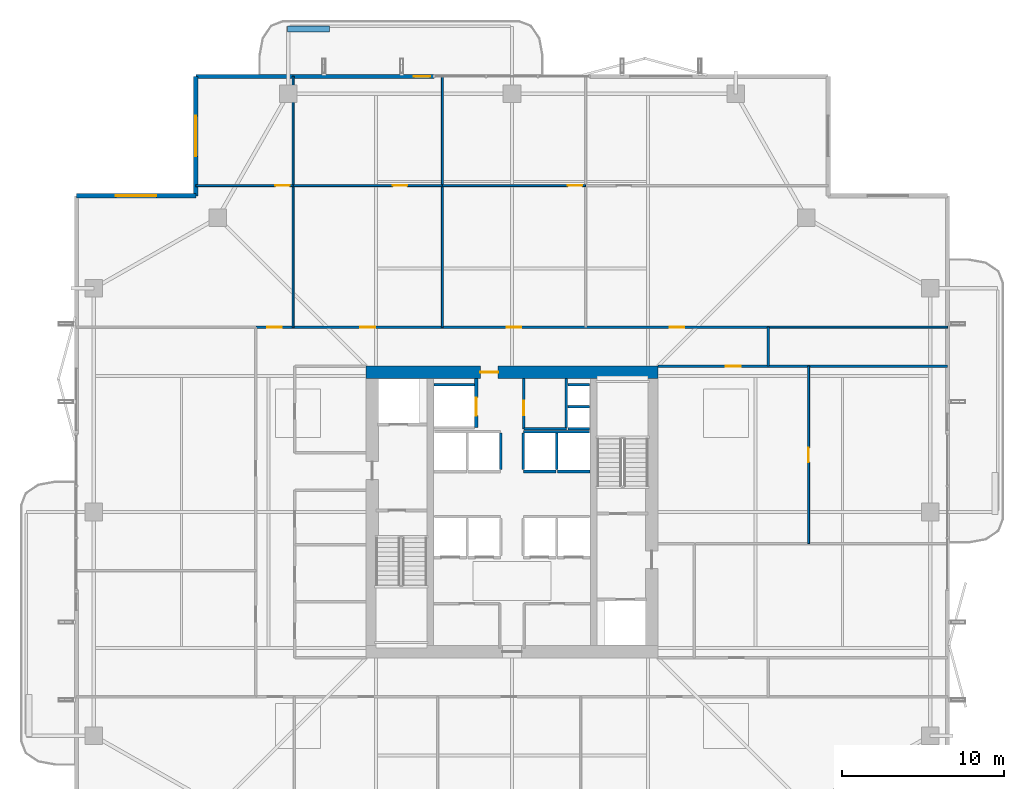
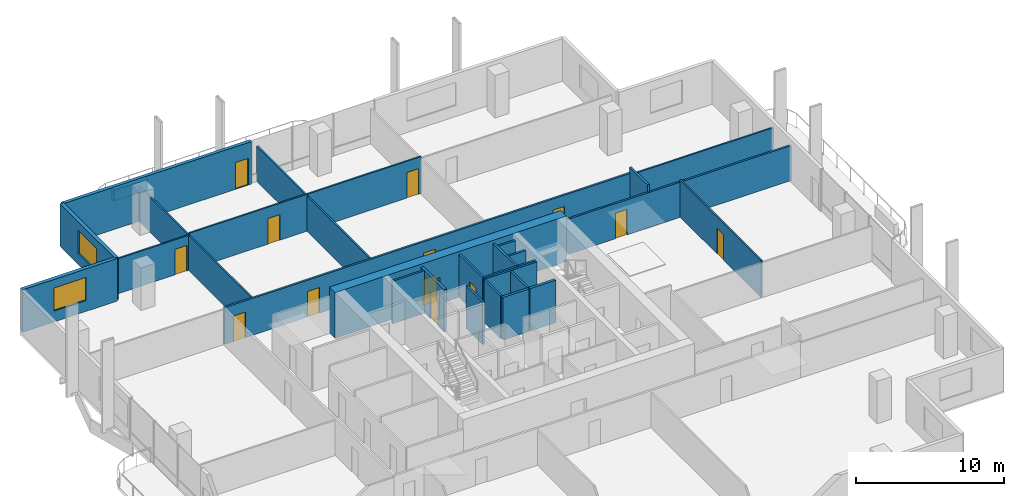
# One storey, part 19 of 24: 29 walls, 13 doors, 2 windows, 15 openings.
"""IFC4 building model written with IfcOpenShell, lengths in metres."""

import ifcopenshell
import ifcopenshell.guid

model = None  # the IFC model being written
_history = None  # IfcOwnerHistory: only IFC2X3 demands one
_inside = {}  # id of a spatial element -> (the spatial element, [elements in it])
_under = {}  # id of a project, library or spatial element -> (it, [spatial elements below it])
_declared = {}  # id of a project -> (the project, [libraries it declares])
_typed = {}  # id of a type object -> (the type object, [elements of that type])
_made_of = {}  # id of a material, layer set ... -> (it, [elements and type objects made of it])


def new_model(schema):
    """Start an empty IFC model of exactly this schema.

    Asked for "IFC4X3", IfcOpenShell would pick the latest addendum, in which some entities
    have other attributes; the version numbers below select the first issue.
    IFC2X3 requires an IfcOwnerHistory on every rooted entity: one is made here for all.
    """
    global model, _history
    if schema == "IFC4X3":
        model = ifcopenshell.file(schema_version=(4, 3, 0, 0))
    else:
        model = ifcopenshell.file(schema=schema)
    _inside.clear()
    _under.clear()
    _declared.clear()
    _typed.clear()
    _made_of.clear()
    _history = None
    if model.schema == "IFC2X3":
        org = make("IfcOrganization", Name="unknown")
        user = make(
            "IfcPersonAndOrganization",
            ThePerson=make("IfcPerson", FamilyName="unknown"),
            TheOrganization=org,
        )
        app = make(
            "IfcApplication",
            ApplicationDeveloper=org,
            Version="unknown",
            ApplicationFullName="unknown",
            ApplicationIdentifier="unknown",
        )
        _history = make(
            "IfcOwnerHistory",
            OwningUser=user,
            OwningApplication=app,
            ChangeAction="ADDED",
            CreationDate=0,
        )
    return model


def make(cls, **values):
    """One entity of the class cls with the attributes given. An attribute that is None is left unset."""
    return model.create_entity(
        cls, **{name: value for name, value in values.items() if value is not None}
    )


def rooted(cls, **values):
    """An entity with a GlobalId (a new one), such as an element, a storey or a relation."""
    return make(cls, GlobalId=ifcopenshell.guid.new(), OwnerHistory=_history, **values)


def si_unit(unit_type, name, prefix=None):
    """IfcSIUnit, for example si_unit("LENGTHUNIT", "METRE", prefix="MILLI")."""
    return make("IfcSIUnit", UnitType=unit_type, Prefix=prefix, Name=name)


def assignment(units):
    """IfcUnitAssignment: the units of a project."""
    return None if units is None else make("IfcUnitAssignment", Units=units)


def point(xyz):
    """IfcCartesianPoint."""
    return None if xyz is None else make("IfcCartesianPoint", Coordinates=xyz)


def direction(xyz):
    """IfcDirection."""
    return None if xyz is None else make("IfcDirection", DirectionRatios=xyz)


def frame(location, z_axis=None, x_axis=None):
    """IfcAxis2Placement3D, a coordinate frame: its origin and axes. An axis left out is left unset."""
    return make(
        "IfcAxis2Placement3D",
        Location=point(location),
        Axis=direction(z_axis),
        RefDirection=direction(x_axis),
    )


def frame_2d(location, x_axis=None):
    """IfcAxis2Placement2D, a coordinate frame in the plane: its origin and x axis."""
    return make(
        "IfcAxis2Placement2D", Location=point(location), RefDirection=direction(x_axis)
    )


def origin():
    """The frame at (0, 0, 0) with its axes left unset."""
    return frame((0.0, 0.0, 0.0))


def place(relative_to, where):
    """IfcLocalPlacement: puts the frame where relative to a parent placement (None: the world)."""
    return make(
        "IfcLocalPlacement", PlacementRelTo=relative_to, RelativePlacement=where
    )


def context(
    kind, dimensions, precision=None, world=None, true_north=None, identifier=None
):
    """IfcGeometricRepresentationContext, for example the 3D "Model" context."""
    return make(
        "IfcGeometricRepresentationContext",
        ContextIdentifier=identifier,
        ContextType=kind,
        CoordinateSpaceDimension=dimensions,
        Precision=precision,
        WorldCoordinateSystem=world,
        TrueNorth=true_north,
    )


def subcontext(parent, identifier, kind, view, scale=None):
    """IfcGeometricRepresentationSubContext, for example "Body" below "Model"."""
    return make(
        "IfcGeometricRepresentationSubContext",
        ContextIdentifier=identifier,
        ContextType=kind,
        ParentContext=parent,
        TargetScale=scale,
        TargetView=view,
    )


def project(units=None, contexts=None):
    """IfcProject with its units and contexts."""
    return rooted(
        "IfcProject",
        Name="project",
        RepresentationContexts=contexts,
        UnitsInContext=assignment(units),
    )


def spatial(cls, under=None, at=None, **own):
    """A site, building, storey or space (cls), placed at a placement, below another one or the project."""
    s = rooted(cls, ObjectPlacement=at, **own)
    if under is not None:
        _under.setdefault(under.id(), (under, []))[1].append(s)
    return s


def profile(cls, at=None, kind="AREA", **sizes):
    """A parametric profile (cls). Its sizes go by their IFC names, for example OverallWidth=200.0."""
    return make(cls, ProfileType=kind, Position=at, **sizes)


def rectangle(**sizes):
    """IfcRectangleProfileDef."""
    return profile("IfcRectangleProfileDef", **sizes)


def extrude(swept, where, along, depth):
    """IfcExtrudedAreaSolid: the profile swept, set in the frame where, extruded along a direction by depth."""
    return make(
        "IfcExtrudedAreaSolid",
        SweptArea=swept,
        Position=where,
        ExtrudedDirection=direction(along),
        Depth=depth,
    )


def shape(context_of_items, identifier, shape_type, items):
    """IfcShapeRepresentation: the items that make up one representation, for example the "Body"."""
    return make(
        "IfcShapeRepresentation",
        ContextOfItems=context_of_items,
        RepresentationIdentifier=identifier,
        RepresentationType=shape_type,
        Items=items,
    )


def material(Name=None, Category=None):
    """IfcMaterial."""
    return make("IfcMaterial", Name=Name, Category=Category)


def layer(
    of_material, thickness, ventilated=None, Name=None, Category=None, Priority=None
):
    """IfcMaterialLayer: one layer of a wall or slab, of a material (None: an air gap)."""
    return make(
        "IfcMaterialLayer",
        Material=of_material,
        LayerThickness=thickness,
        IsVentilated=ventilated,
        Name=Name,
        Category=Category,
        Priority=Priority,
    )


def layer_set(layers, Name=None):
    """IfcMaterialLayerSet."""
    return make("IfcMaterialLayerSet", MaterialLayers=layers, LayerSetName=Name)


def made_of(thing, what):
    """Note that an element or type object is made of a material, layer set ...; save() writes the relation."""
    if what is not None:
        _made_of.setdefault(what.id(), (what, []))[1].append(thing)
    return thing


def type_object(cls, material=None, **own):
    """A type object (cls), such as IfcWallType, which elements share."""
    return made_of(rooted(cls, **own), material)


def element(
    cls,
    number,
    at=None,
    inside=None,
    cuts=None,
    type_object=None,
    material=None,
    context=None,
    identifier="Body",
    shape_type=None,
    held_by="IfcProductDefinitionShape",
    body=None,
    shapes=None,
    **own,
):
    """One element of the class cls, such as IfcWall. Its Tag is "e" and its number.

    at: its placement. inside: the storey or other place that contains it. cuts: it is an
    opening in that element (IfcRelVoidsElement). A single representation is given by context,
    identifier, shape_type and body (its items); several are given by shapes. held_by: the class
    of the entity that holds the representations. save() writes the other relations.
    """
    e = rooted(cls, Tag="e%d" % number, ObjectPlacement=at, **own)
    if body is not None:
        shapes = [shape(context, identifier, shape_type, body)]
    if shapes is not None:
        e.Representation = make(held_by, Representations=shapes)
    if inside is not None:
        _inside.setdefault(inside.id(), (inside, []))[1].append(e)
    if cuts is not None:
        rooted(
            "IfcRelVoidsElement", RelatingBuildingElement=cuts, RelatedOpeningElement=e
        )
    if type_object is not None:
        _typed.setdefault(type_object.id(), (type_object, []))[1].append(e)
    return made_of(e, material)


def fill(opening, filler):
    """IfcRelFillsElement: the door or window that sits in an opening."""
    return rooted(
        "IfcRelFillsElement",
        RelatingOpeningElement=opening,
        RelatedBuildingElement=filler,
    )


def aggregate(whole, parts):
    """IfcRelAggregates: a whole, such as a stair, and the parts it consists of."""
    return rooted("IfcRelAggregates", RelatingObject=whole, RelatedObjects=parts)


def save(model, path):
    """Write the relations noted so far, then the file.

    IfcRelAggregates (storeys below a building ...), IfcRelContainedInSpatialStructure (elements
    in a storey), IfcRelDefinesByType, IfcRelAssociatesMaterial and IfcRelDeclares: one each for
    every whole, place, type object, material and project.
    """
    for whole, parts in _under.values():
        aggregate(whole, parts)
    for where, things in _inside.values():
        rooted(
            "IfcRelContainedInSpatialStructure",
            RelatedElements=things,
            RelatingStructure=where,
        )
    for kind, things in _typed.values():
        rooted("IfcRelDefinesByType", RelatedObjects=things, RelatingType=kind)
    for what, things in _made_of.values():
        rooted("IfcRelAssociatesMaterial", RelatedObjects=things, RelatingMaterial=what)
    for by, libraries in _declared.values():
        rooted("IfcRelDeclares", RelatingContext=by, RelatedDefinitions=libraries)
    model.write(path)


model = new_model("IFC4")

# Units and contexts
model_context = context("Model", 3, precision=1e-05, world=origin(), true_north=direction((0.0, 1.0)))
body_context = subcontext(model_context, "Body", "Model", "MODEL_VIEW")
ifc_project = project(units=[si_unit("LENGTHUNIT", "METRE"), si_unit("AREAUNIT", "SQUARE_METRE"), si_unit("VOLUMEUNIT", "CUBIC_METRE"), si_unit("PLANEANGLEUNIT", "RADIAN"), si_unit("MASSUNIT", "GRAM", prefix="KILO")], contexts=[model_context])

# Site, building, storey
site_placement = place(None, origin())
site = spatial("IfcSite", under=ifc_project, at=site_placement, CompositionType="ELEMENT")
building_placement = place(site_placement, origin())
building = spatial("IfcBuilding", under=site, at=building_placement, Name="Belovzor Exchange Tower", CompositionType="ELEMENT")
storey_placement = place(building_placement, frame((0.0, 0.0, 203.699951171875)))
storey = spatial("IfcBuildingStorey", under=building, at=storey_placement, Name="L50", CompositionType="ELEMENT", Elevation=203.699951171875)

# Wall, opening, door
ifc_material_1 = material(Name="Acoustic Plasterboard on Galvanised Studs", Category="gypsum")
ifc_layer_1 = layer(ifc_material_1, 0.1201171875)
ifc_layer_set_1 = layer_set([ifc_layer_1], Name="Acoustic Plasterboard on Galvanised Studs")
wall_type_1 = type_object("IfcWallType", Name="Acoustic Double-Stud Partition Wall 120", PredefinedType="PARTITIONING", material=ifc_layer_set_1)
wall_1_placement = place(storey_placement, frame((9.300048828125, 48.93505859375, 0.0), z_axis=(0.0, 0.0, 1.0), x_axis=(1.0, 0.0, 0.0)))
wall_1 = element("IfcWall", 1, at=wall_1_placement, inside=storey, type_object=wall_type_1, Name="W-P120 Partition Wall W-L50-NHDIV-0", PredefinedType="PARTITIONING", context=body_context, shape_type="SweptSolid", body=[
    extrude(rectangle(XDim=6.0, YDim=0.1201171875, at=frame_2d((3.0, 0.0))), origin(), (0.0, 0.0, 1.0), 2.885009765625),
])
opening_1_placement = place(wall_1_placement, frame((4.89990234375, 0.0, 0.0)))
opening_1 = element("IfcOpeningElement", 2, at=opening_1_placement, cuts=wall_1, Name="Opening D-INT-090", PredefinedType="OPENING", context=body_context, shape_type="SweptSolid", body=[
    extrude(rectangle(XDim=0.89990234375, YDim=2.10009765625, at=frame_2d((0.449951171875, 1.050048828125))), frame((0.0, 0.070068359375, 0.0), z_axis=(0.0, -1.0, 0.0), x_axis=(1.0, 0.0, 0.0)), (0.0, 0.0, 1.0), 0.14013671875),
])
ifc_material_2 = material(Name="Veneered Hardwood Acoustic Leaf", Category="wood")
door_type_1 = type_object("IfcDoorType", Name="Trading Suite Acoustic Single Door 900x2100", OperationType="NOTDEFINED", PredefinedType="DOOR", material=ifc_material_2)
door_1_placement = place(opening_1_placement, origin())
door_1 = element("IfcDoor", 3, at=door_1_placement, inside=storey, type_object=door_type_1, Name="D-INT-090 Trading Suite Acoustic Single Door 900x2100", OperationType="SINGLE_SWING_RIGHT", OverallHeight=2.10009765625, OverallWidth=0.89990234375, PredefinedType="DOOR", context=body_context, shape_type="SweptSolid", body=[
    extrude(rectangle(XDim=0.89990234375, YDim=2.10009765625, at=frame_2d((0.449951171875, 1.050048828125))), frame((0.0, 0.02490234375, 0.0), z_axis=(0.0, -1.0, 0.0), x_axis=(1.0, 0.0, 0.0)), (0.0, 0.0, 1.0), 0.050048828125),
])
fill(opening_1, door_1)

# Wall
wall_2_placement = place(storey_placement, frame((15.300048828125, 40.199951171875, 0.0), z_axis=(0.0, 0.0, 1.0), x_axis=(0.0, 1.0, 0.0)))
element("IfcWall", 4, at=wall_2_placement, inside=storey, type_object=wall_type_1, Name="W-P120 Partition Wall W-L50-NDIV-1", PredefinedType="PARTITIONING", context=body_context, shape_type="SweptSolid", body=[
    extrude(rectangle(XDim=15.469970703125, YDim=0.1201171875, at=frame_2d((7.73486328125, 0.0))), origin(), (0.0, 0.0, 1.0), 2.885009765625),
])

# Wall, opening, door
wall_3_placement = place(storey_placement, frame((15.300048828125, 48.93505859375, 0.0), z_axis=(0.0, 0.0, 1.0), x_axis=(1.0, 0.0, 0.0)))
wall_3 = element("IfcWall", 5, at=wall_3_placement, inside=storey, type_object=wall_type_1, Name="W-P120 Partition Wall W-L50-NHDIV-1", PredefinedType="PARTITIONING", context=body_context, shape_type="SweptSolid", body=[
    extrude(rectangle(XDim=9.2080078125, YDim=0.1201171875, at=frame_2d((4.60400390625, 0.0))), origin(), (0.0, 0.0, 1.0), 3.03515625),
])
opening_2_placement = place(wall_3_placement, frame((6.131103515625, 0.0, 0.0)))
opening_2 = element("IfcOpeningElement", 6, at=opening_2_placement, cuts=wall_3, Name="Opening D-INT-090", PredefinedType="OPENING", context=body_context, shape_type="SweptSolid", body=[
    extrude(rectangle(XDim=0.89990234375, YDim=2.10009765625, at=frame_2d((0.449951171875, 1.050048828125))), frame((0.0, 0.070068359375, 0.0), z_axis=(0.0, -1.0, 0.0), x_axis=(1.0, 0.0, 0.0)), (0.0, 0.0, 1.0), 0.14013671875),
])
door_2_placement = place(opening_2_placement, origin())
door_2 = element("IfcDoor", 7, at=door_2_placement, inside=storey, type_object=door_type_1, Name="D-INT-090 Trading Suite Acoustic Single Door 900x2100", OperationType="SINGLE_SWING_RIGHT", OverallHeight=2.10009765625, OverallWidth=0.89990234375, PredefinedType="DOOR", context=body_context, shape_type="SweptSolid", body=[
    extrude(rectangle(XDim=0.89990234375, YDim=2.10009765625, at=frame_2d((0.449951171875, 1.050048828125))), frame((0.0, 0.02490234375, 0.0), z_axis=(0.0, -1.0, 0.0), x_axis=(1.0, 0.0, 0.0)), (0.0, 0.0, 1.0), 0.050048828125),
])
fill(opening_2, door_2)

# Wall
wall_4_placement = place(storey_placement, frame((24.508056640625, 40.199951171875, 0.0), z_axis=(0.0, 0.0, 1.0), x_axis=(0.0, 1.0, 0.0)))
element("IfcWall", 8, at=wall_4_placement, inside=storey, type_object=wall_type_1, Name="W-P120 Partition Wall W-L50-NDIV-2", PredefinedType="PARTITIONING", context=body_context, shape_type="SweptSolid", body=[
    extrude(rectangle(XDim=15.469970703125, YDim=0.1201171875, at=frame_2d((7.73486328125, 0.0))), origin(), (0.0, 0.0, 1.0), 2.885009765625),
])

# Wall, opening, door
wall_5_placement = place(storey_placement, frame((24.508056640625, 48.93505859375, 0.0), z_axis=(0.0, 0.0, 1.0), x_axis=(1.0, 0.0, 0.0)))
wall_5 = element("IfcWall", 9, at=wall_5_placement, inside=storey, type_object=wall_type_1, Name="W-P120 Partition Wall W-L50-NHDIV-2", PredefinedType="PARTITIONING", context=body_context, shape_type="SweptSolid", body=[
    extrude(rectangle(XDim=8.8310546875, YDim=0.1201171875, at=frame_2d((4.41552734375, 0.0))), origin(), (0.0, 0.0, 1.0), 3.03515625),
])
opening_3_placement = place(wall_5_placement, frame((7.73095703125, 0.0, 0.0)))
opening_3 = element("IfcOpeningElement", 10, at=opening_3_placement, cuts=wall_5, Name="Opening D-INT-090", PredefinedType="OPENING", context=body_context, shape_type="SweptSolid", body=[
    extrude(rectangle(XDim=0.89990234375, YDim=2.10009765625, at=frame_2d((0.449951171875, 1.050048828125))), frame((0.0, 0.070068359375, 0.0), z_axis=(0.0, -1.0, 0.0), x_axis=(1.0, 0.0, 0.0)), (0.0, 0.0, 1.0), 0.14013671875),
])
door_3_placement = place(opening_3_placement, origin())
door_3 = element("IfcDoor", 11, at=door_3_placement, inside=storey, type_object=door_type_1, Name="D-INT-090 Trading Suite Acoustic Single Door 900x2100", OperationType="SINGLE_SWING_RIGHT", OverallHeight=2.10009765625, OverallWidth=0.89990234375, PredefinedType="DOOR", context=body_context, shape_type="SweptSolid", body=[
    extrude(rectangle(XDim=0.89990234375, YDim=2.10009765625, at=frame_2d((0.449951171875, 1.050048828125))), frame((0.0, 0.02490234375, 0.0), z_axis=(0.0, -1.0, 0.0), x_axis=(1.0, 0.0, 0.0)), (0.0, 0.0, 1.0), 0.050048828125),
])
fill(opening_3, door_3)

wall_6_placement = place(storey_placement, frame((47.092041015625, 26.85009765625, 0.0), z_axis=(0.0, 0.0, 1.0), x_axis=(0.0, 1.0, 0.0)))
wall_6 = element("IfcWall", 12, at=wall_6_placement, inside=storey, type_object=wall_type_1, Name="W-P120 Partition Wall W-L50-EHDIV", PredefinedType="PARTITIONING", context=body_context, shape_type="SweptSolid", body=[
    extrude(rectangle(XDim=10.949951171875, YDim=0.1201171875, at=frame_2d((5.47509765625, 0.0))), origin(), (0.0, 0.0, 1.0), 3.03515625),
])
opening_4_placement = place(wall_6_placement, frame((5.02490234375, 0.0, 0.0)))
opening_4 = element("IfcOpeningElement", 13, at=opening_4_placement, cuts=wall_6, Name="Opening D-INT-090", PredefinedType="OPENING", context=body_context, shape_type="SweptSolid", body=[
    extrude(rectangle(XDim=0.89990234375, YDim=2.10009765625, at=frame_2d((0.449951171875, 1.050048828125))), frame((0.0, 0.070068359375, 0.0), z_axis=(0.0, -1.0, 0.0), x_axis=(1.0, 0.0, 0.0)), (0.0, 0.0, 1.0), 0.14013671875),
])
door_4_placement = place(opening_4_placement, origin())
door_4 = element("IfcDoor", 14, at=door_4_placement, inside=storey, type_object=door_type_1, Name="D-INT-090 Trading Suite Acoustic Single Door 900x2100", OperationType="SINGLE_SWING_RIGHT", OverallHeight=2.10009765625, OverallWidth=0.89990234375, PredefinedType="DOOR", context=body_context, shape_type="SweptSolid", body=[
    extrude(rectangle(XDim=0.89990234375, YDim=2.10009765625, at=frame_2d((0.449951171875, 1.050048828125))), frame((0.0, 0.02490234375, 0.0), z_axis=(0.0, -1.0, 0.0), x_axis=(1.0, 0.0, 0.0)), (0.0, 0.0, 1.0), 0.050048828125),
])
fill(opening_4, door_4)

# Wall
wall_7_placement = place(storey_placement, frame((44.60009765625, 40.199951171875, 0.0), z_axis=(0.0, 0.0, 1.0), x_axis=(1.0, 0.0, 0.0)))
element("IfcWall", 15, at=wall_7_placement, inside=storey, type_object=wall_type_1, Name="W-P120 Partition Wall W-L50-END-NE", PredefinedType="PARTITIONING", context=body_context, shape_type="SweptSolid", body=[
    extrude(rectangle(XDim=11.06982421875, YDim=0.1201171875, at=frame_2d((5.534912109375, 0.0))), origin(), (0.0, 0.0, 1.0), 2.885009765625),
])

# Wall, opening, door
ifc_material_3 = material(Name="Fire-Rated Gypsum Block and Mineral Wool", Category="gypsum")
ifc_layer_2 = layer(ifc_material_3, 0.14990234375)
ifc_layer_set_2 = layer_set([ifc_layer_2], Name="Fire-Rated Gypsum Block and Mineral Wool")
wall_type_2 = type_object("IfcWallType", Name="Fire-Rated Gypsum Block Corridor Wall 150", PredefinedType="PARTITIONING", material=ifc_layer_set_2)
wall_8_placement = place(storey_placement, frame((29.52490234375, 33.925048828125, 0.0), z_axis=(0.0, 0.0, 1.0), x_axis=(0.0, 1.0, 0.0)))
wall_8 = element("IfcWall", 16, at=wall_8_placement, inside=storey, type_object=wall_type_2, Name="W-P150 Partition Wall W-CRV-L50-W", PredefinedType="PARTITIONING", context=body_context, shape_type="SweptSolid", body=[
    extrude(rectangle(XDim=3.125, YDim=0.14990234375, at=frame_2d((1.5625, 0.0))), origin(), (0.0, 0.0, 1.0), 3.5),
])
opening_5_placement = place(wall_8_placement, frame((0.85009765625, 0.0, 0.0)))
opening_5 = element("IfcOpeningElement", 17, at=opening_5_placement, cuts=wall_8, Name="Opening D-FD60-090", PredefinedType="OPENING", context=body_context, shape_type="SweptSolid", body=[
    extrude(rectangle(XDim=0.89990234375, YDim=2.10009765625, at=frame_2d((0.449951171875, 1.050048828125))), frame((0.0, 0.0849609375, 0.0), z_axis=(0.0, -1.0, 0.0), x_axis=(1.0, 0.0, 0.0)), (0.0, 0.0, 1.0), 0.169921875),
])
ifc_material_4 = material(Name="Acoustic Timber Fire Leaf", Category="wood")
door_type_2 = type_object("IfcDoorType", Name="Core Service & Restroom Fire Door 900x2100", OperationType="NOTDEFINED", PredefinedType="DOOR", material=ifc_material_4)
door_5_placement = place(opening_5_placement, origin())
door_5 = element("IfcDoor", 18, at=door_5_placement, inside=storey, type_object=door_type_2, Name="D-FD60-090 Core Service & Restroom Fire Door 900x2100", OperationType="SINGLE_SWING_LEFT", OverallHeight=2.10009765625, OverallWidth=0.89990234375, PredefinedType="DOOR", context=body_context, shape_type="SweptSolid", body=[
    extrude(rectangle(XDim=0.89990234375, YDim=2.10009765625, at=frame_2d((0.449951171875, 1.050048828125))), frame((0.0, 0.02490234375, 0.0), z_axis=(0.0, -1.0, 0.0), x_axis=(1.0, 0.0, 0.0)), (0.0, 0.0, 1.0), 0.050048828125),
])
fill(opening_5, door_5)

# Walls
wall_9_placement = place(storey_placement, frame((29.52490234375, 33.925048828125, 0.0), z_axis=(0.0, 0.0, 1.0), x_axis=(1.0, 0.0, 0.0)))
element("IfcWall", 19, at=wall_9_placement, inside=storey, type_object=wall_type_2, Name="W-P150 Partition Wall W-CRV-L50-S", PredefinedType="PARTITIONING", context=body_context, shape_type="SweptSolid", body=[
    extrude(rectangle(XDim=2.625, YDim=0.14990234375, at=frame_2d((1.3125, 0.0))), origin(), (0.0, 0.0, 1.0), 3.5),
])
wall_10_placement = place(storey_placement, frame((44.60009765625, 37.800048828125, 0.0), z_axis=(0.0, 0.0, 1.0), x_axis=(0.0, 1.0, 0.0)))
element("IfcWall", 20, at=wall_10_placement, inside=storey, type_object=wall_type_2, Name="W-P150 Partition Wall W-L50-END-EN", PredefinedType="PARTITIONING", context=body_context, shape_type="SweptSolid", body=[
    extrude(rectangle(XDim=2.39990234375, YDim=0.14990234375, at=frame_2d((1.199951171875, 0.0))), origin(), (0.0, 0.0, 1.0), 3.5),
])

# Wall, opening, door
wall_11_placement = place(storey_placement, frame((37.800048828125, 37.800048828125, 0.0), z_axis=(0.0, 0.0, 1.0), x_axis=(1.0, 0.0, 0.0)))
wall_11 = element("IfcWall", 21, at=wall_11_placement, inside=storey, type_object=wall_type_2, Name="W-P150 Partition Wall W-L50-CN-IN", PredefinedType="PARTITIONING", context=body_context, shape_type="SweptSolid", body=[
    extrude(rectangle(XDim=17.869873046875, YDim=0.14990234375, at=frame_2d((8.93505859375, 0.0))), origin(), (0.0, 0.0, 1.0), 2.885009765625),
])
opening_6_placement = place(wall_11_placement, frame((4.196044921875, 0.0, 0.0)))
opening_6 = element("IfcOpeningElement", 22, at=opening_6_placement, cuts=wall_11, Name="Opening D-INT-090", PredefinedType="OPENING", context=body_context, shape_type="SweptSolid", body=[
    extrude(rectangle(XDim=0.89990234375, YDim=2.10009765625, at=frame_2d((0.449951171875, 1.050048828125))), frame((0.0, 0.0849609375, 0.0), z_axis=(0.0, -1.0, 0.0), x_axis=(1.0, 0.0, 0.0)), (0.0, 0.0, 1.0), 0.169921875),
])
door_6_placement = place(opening_6_placement, origin())
door_6 = element("IfcDoor", 23, at=door_6_placement, inside=storey, type_object=door_type_1, Name="D-INT-090 Trading Suite Acoustic Single Door 900x2100", OperationType="SINGLE_SWING_RIGHT", OverallHeight=2.10009765625, OverallWidth=0.89990234375, PredefinedType="DOOR", context=body_context, shape_type="SweptSolid", body=[
    extrude(rectangle(XDim=0.89990234375, YDim=2.10009765625, at=frame_2d((0.449951171875, 1.050048828125))), frame((0.0, 0.02490234375, 0.0), z_axis=(0.0, -1.0, 0.0), x_axis=(1.0, 0.0, 0.0)), (0.0, 0.0, 1.0), 0.050048828125),
])
fill(opening_6, door_6)

# Wall, openings, doors
wall_12_placement = place(storey_placement, frame((13.0, 40.199951171875, 0.0), z_axis=(0.0, 0.0, 1.0), x_axis=(1.0, 0.0, 0.0)))
wall_12 = element("IfcWall", 24, at=wall_12_placement, inside=storey, type_object=wall_type_2, Name="W-P150 Partition Wall W-L50-CN", PredefinedType="PARTITIONING", context=body_context, shape_type="SweptSolid", body=[
    extrude(rectangle(XDim=31.60009765625, YDim=0.14990234375, at=frame_2d((15.800048828125, 0.0))), origin(), (0.0, 0.0, 1.0), 3.03515625),
])
opening_7_placement = place(wall_12_placement, frame((0.699951171875, 0.0, 0.0)))
opening_7 = element("IfcOpeningElement", 25, at=opening_7_placement, cuts=wall_12, Name="Opening D-INT-090", PredefinedType="OPENING", context=body_context, shape_type="SweptSolid", body=[
    extrude(rectangle(XDim=0.89990234375, YDim=2.10009765625, at=frame_2d((0.449951171875, 1.050048828125))), frame((0.0, 0.0849609375, 0.0), z_axis=(0.0, -1.0, 0.0), x_axis=(1.0, 0.0, 0.0)), (0.0, 0.0, 1.0), 0.169921875),
])
opening_8_placement = place(wall_12_placement, frame((6.4541015625, 0.0, 0.0)))
opening_8 = element("IfcOpeningElement", 26, at=opening_8_placement, cuts=wall_12, Name="Opening D-INT-090", PredefinedType="OPENING", context=body_context, shape_type="SweptSolid", body=[
    extrude(rectangle(XDim=0.89990234375, YDim=2.10009765625, at=frame_2d((0.449951171875, 1.050048828125))), frame((0.0, 0.0849609375, 0.0), z_axis=(0.0, -1.0, 0.0), x_axis=(1.0, 0.0, 0.0)), (0.0, 0.0, 1.0), 0.169921875),
])
opening_9_placement = place(wall_12_placement, frame((15.472900390625, 0.0, 0.0)))
opening_9 = element("IfcOpeningElement", 27, at=opening_9_placement, cuts=wall_12, Name="Opening D-INT-090", PredefinedType="OPENING", context=body_context, shape_type="SweptSolid", body=[
    extrude(rectangle(XDim=0.89990234375, YDim=2.10009765625, at=frame_2d((0.449951171875, 1.050048828125))), frame((0.0, 0.0849609375, 0.0), z_axis=(0.0, -1.0, 0.0), x_axis=(1.0, 0.0, 0.0)), (0.0, 0.0, 1.0), 0.169921875),
])
opening_10_placement = place(wall_12_placement, frame((25.51904296875, 0.0, 0.0)))
opening_10 = element("IfcOpeningElement", 28, at=opening_10_placement, cuts=wall_12, Name="Opening D-INT-090", PredefinedType="OPENING", context=body_context, shape_type="SweptSolid", body=[
    extrude(rectangle(XDim=0.89990234375, YDim=2.10009765625, at=frame_2d((0.449951171875, 1.050048828125))), frame((0.0, 0.0849609375, 0.0), z_axis=(0.0, -1.0, 0.0), x_axis=(1.0, 0.0, 0.0)), (0.0, 0.0, 1.0), 0.169921875),
])
door_7_placement = place(opening_7_placement, origin())
door_7 = element("IfcDoor", 29, at=door_7_placement, inside=storey, type_object=door_type_1, Name="D-INT-090 Trading Suite Acoustic Single Door 900x2100", OperationType="SINGLE_SWING_RIGHT", OverallHeight=2.10009765625, OverallWidth=0.89990234375, PredefinedType="DOOR", context=body_context, shape_type="SweptSolid", body=[
    extrude(rectangle(XDim=0.89990234375, YDim=2.10009765625, at=frame_2d((0.449951171875, 1.050048828125))), frame((0.0, 0.02490234375, 0.0), z_axis=(0.0, -1.0, 0.0), x_axis=(1.0, 0.0, 0.0)), (0.0, 0.0, 1.0), 0.050048828125),
])
fill(opening_7, door_7)
door_8_placement = place(opening_8_placement, origin())
door_8 = element("IfcDoor", 30, at=door_8_placement, inside=storey, type_object=door_type_1, Name="D-INT-090 Trading Suite Acoustic Single Door 900x2100", OperationType="SINGLE_SWING_LEFT", OverallHeight=2.10009765625, OverallWidth=0.89990234375, PredefinedType="DOOR", context=body_context, shape_type="SweptSolid", body=[
    extrude(rectangle(XDim=0.89990234375, YDim=2.10009765625, at=frame_2d((0.449951171875, 1.050048828125))), frame((0.0, 0.02490234375, 0.0), z_axis=(0.0, -1.0, 0.0), x_axis=(1.0, 0.0, 0.0)), (0.0, 0.0, 1.0), 0.050048828125),
])
fill(opening_8, door_8)
door_9_placement = place(opening_9_placement, origin())
door_9 = element("IfcDoor", 31, at=door_9_placement, inside=storey, type_object=door_type_1, Name="D-INT-090 Trading Suite Acoustic Single Door 900x2100", OperationType="SINGLE_SWING_RIGHT", OverallHeight=2.10009765625, OverallWidth=0.89990234375, PredefinedType="DOOR", context=body_context, shape_type="SweptSolid", body=[
    extrude(rectangle(XDim=0.89990234375, YDim=2.10009765625, at=frame_2d((0.449951171875, 1.050048828125))), frame((0.0, 0.02490234375, 0.0), z_axis=(0.0, -1.0, 0.0), x_axis=(1.0, 0.0, 0.0)), (0.0, 0.0, 1.0), 0.050048828125),
])
fill(opening_9, door_9)
door_10_placement = place(opening_10_placement, origin())
door_10 = element("IfcDoor", 32, at=door_10_placement, inside=storey, type_object=door_type_1, Name="D-INT-090 Trading Suite Acoustic Single Door 900x2100", OperationType="SINGLE_SWING_LEFT", OverallHeight=2.10009765625, OverallWidth=0.89990234375, PredefinedType="DOOR", context=body_context, shape_type="SweptSolid", body=[
    extrude(rectangle(XDim=0.89990234375, YDim=2.10009765625, at=frame_2d((0.449951171875, 1.050048828125))), frame((0.0, 0.02490234375, 0.0), z_axis=(0.0, -1.0, 0.0), x_axis=(1.0, 0.0, 0.0)), (0.0, 0.0, 1.0), 0.050048828125),
])
fill(opening_10, door_10)

# Wall, opening, window
ifc_material_5 = material(Name="Precast concrete C40/50", Category="concrete")
ifc_layer_3 = layer(ifc_material_5, 0.280029296875)
ifc_layer_set_3 = layer_set([ifc_layer_3], Name="Precast concrete C40/50")
wall_type_3 = type_object("IfcWallType", Name="Precast Concrete Notched Corner Frame Wall 280", PredefinedType="SOLIDWALL", material=ifc_layer_set_3)
wall_13_placement = place(storey_placement, frame((1.929931640625, 48.300048828125, 0.0), z_axis=(0.0, 0.0, 1.0), x_axis=(1.0, 0.0, 0.0)))
wall_13 = element("IfcWall", 33, at=wall_13_placement, inside=storey, type_object=wall_type_3, Name="W-CRN280 Precast Concrete Notched Corner Frame Wall 280 L50", PredefinedType="SOLIDWALL", context=body_context, shape_type="SweptSolid", body=[
    extrude(rectangle(XDim=7.3701171875, YDim=0.280029296875, at=frame_2d((3.68505859375, 0.0))), origin(), (0.0, 0.0, 1.0), 3.5),
])
opening_11_placement = place(wall_13_placement, frame((2.43505859375, 0.0, 0.89990234375)))
opening_11 = element("IfcOpeningElement", 34, at=opening_11_placement, cuts=wall_13, Name="Opening WN-CRN250", PredefinedType="OPENING", context=body_context, shape_type="SweptSolid", body=[
    extrude(rectangle(XDim=2.5, YDim=1.89990234375, at=frame_2d((1.25, 0.949951171875))), frame((0.0, 0.14990234375, 0.0), z_axis=(0.0, -1.0, 0.0), x_axis=(1.0, 0.0, 0.0)), (0.0, 0.0, 1.0), 0.300048828125),
])
ifc_material_6 = material(Name="Thermally Broken Aluminium and Triple Glazing", Category="aluminium")
window_type = type_object("IfcWindowType", Name="Streamline Moderne Corner Wrap Ribbon Window 2500x1900", PartitioningType="SINGLE_PANEL", PredefinedType="WINDOW", material=ifc_material_6)
window_1_placement = place(opening_11_placement, origin())
window_1 = element("IfcWindow", 35, at=window_1_placement, inside=storey, type_object=window_type, Name="WN-CRN250 Streamline Moderne Corner Wrap Ribbon Window 2500x1900", OverallHeight=1.89990234375, OverallWidth=2.5, PartitioningType="SINGLE_PANEL", PredefinedType="WINDOW", context=body_context, shape_type="SweptSolid", body=[
    extrude(rectangle(XDim=2.5, YDim=1.89990234375, at=frame_2d((1.25, 0.949951171875))), frame((0.0, 0.030029296875, 0.0), z_axis=(0.0, -1.0, 0.0), x_axis=(1.0, 0.0, 0.0)), (0.0, 0.0, 1.0), 0.06005859375),
])
fill(opening_11, window_1)

wall_14_placement = place(storey_placement, frame((9.300048828125, 48.300048828125, 0.0), z_axis=(0.0, 0.0, 1.0), x_axis=(0.0, 1.0, 0.0)))
wall_14 = element("IfcWall", 36, at=wall_14_placement, inside=storey, type_object=wall_type_3, Name="W-CRN280 Precast Concrete Notched Corner Frame Wall 280 L50", PredefinedType="SOLIDWALL", context=body_context, shape_type="SweptSolid", body=[
    extrude(rectangle(XDim=7.369873046875, YDim=0.280029296875, at=frame_2d((3.68505859375, 0.0))), origin(), (0.0, 0.0, 1.0), 3.5),
])
opening_12_placement = place(wall_14_placement, frame((2.43505859375, 0.0, 0.89990234375)))
opening_12 = element("IfcOpeningElement", 37, at=opening_12_placement, cuts=wall_14, Name="Opening WN-CRN250", PredefinedType="OPENING", context=body_context, shape_type="SweptSolid", body=[
    extrude(rectangle(XDim=2.5, YDim=1.89990234375, at=frame_2d((1.25, 0.949951171875))), frame((0.0, 0.14990234375, 0.0), z_axis=(0.0, -1.0, 0.0), x_axis=(1.0, 0.0, 0.0)), (0.0, 0.0, 1.0), 0.300048828125),
])
window_2_placement = place(opening_12_placement, origin())
window_2 = element("IfcWindow", 38, at=window_2_placement, inside=storey, type_object=window_type, Name="WN-CRN250 Streamline Moderne Corner Wrap Ribbon Window 2500x1900", OverallHeight=1.89990234375, OverallWidth=2.5, PartitioningType="SINGLE_PANEL", PredefinedType="WINDOW", context=body_context, shape_type="SweptSolid", body=[
    extrude(rectangle(XDim=2.5, YDim=1.89990234375, at=frame_2d((1.25, 0.949951171875))), frame((0.0, 0.030029296875, 0.0), z_axis=(0.0, -1.0, 0.0), x_axis=(1.0, 0.0, 0.0)), (0.0, 0.0, 1.0), 0.06005859375),
])
fill(opening_12, window_2)

# Wall, opening, door
ifc_material_7 = material(Name="Precast concrete C40/50", Category="concrete")
ifc_layer_4 = layer(ifc_material_7, 0.260009765625)
ifc_layer_set_4 = layer_set([ifc_layer_4], Name="Precast concrete C40/50")
wall_type_4 = type_object("IfcWallType", Name="Precast Concrete Perimeter Loggia Frame Wall 260", PredefinedType="SOLIDWALL", material=ifc_layer_set_4)
wall_15_placement = place(storey_placement, frame((9.300048828125, 55.669921875, 0.0), z_axis=(0.0, 0.0, 1.0), x_axis=(1.0, 0.0, 0.0)))
wall_15 = element("IfcWall", 39, at=wall_15_placement, inside=storey, type_object=wall_type_4, Name="W-EXT260 Precast Concrete Perimeter Loggia Frame Wall 260 L50", PredefinedType="SOLIDWALL", context=body_context, shape_type="SweptSolid", body=[
    extrude(rectangle(XDim=14.699951171875, YDim=0.260009765625, at=frame_2d((7.35009765625, 0.0))), origin(), (0.0, 0.0, 1.0), 3.5),
])
opening_13_placement = place(wall_15_placement, frame((13.449951171875, 0.0, 0.0)))
opening_13 = element("IfcOpeningElement", 40, at=opening_13_placement, cuts=wall_15, Name="Opening D-BAL100", PredefinedType="OPENING", context=body_context, shape_type="SweptSolid", body=[
    extrude(rectangle(XDim=1.0, YDim=2.199951171875, at=frame_2d((0.5, 1.10009765625))), frame((0.0, 0.139892578125, 0.0), z_axis=(0.0, -1.0, 0.0), x_axis=(1.0, 0.0, 0.0)), (0.0, 0.0, 1.0), 0.280029296875),
])
ifc_material_8 = material(Name="Thermally Broken Anodised Aluminium and Laminated Glass", Category="aluminium")
door_type_3 = type_object("IfcDoorType", Name="Planted Loggia Terrace Glazed Door 1000x2200", OperationType="SINGLE_SWING_LEFT", PredefinedType="DOOR", material=ifc_material_8)
door_11_placement = place(opening_13_placement, origin())
door_11 = element("IfcDoor", 41, at=door_11_placement, inside=storey, type_object=door_type_3, Name="D-BAL100 Balcony Terrace Door L50 N", OperationType="SINGLE_SWING_RIGHT", OverallHeight=2.199951171875, OverallWidth=1.0, PredefinedType="DOOR", context=body_context, shape_type="SweptSolid", body=[
    extrude(rectangle(XDim=1.0, YDim=2.199951171875, at=frame_2d((0.5, 1.10009765625))), frame((0.0, 0.02490234375, 0.0), z_axis=(0.0, -1.0, 0.0), x_axis=(1.0, 0.0, 0.0)), (0.0, 0.0, 1.0), 0.050048828125),
])
fill(opening_13, door_11)

# Walls
ifc_material_9 = material(Name="Precast concrete C40/50", Category="concrete")
ifc_layer_5 = layer(ifc_material_9, 0.35009765625)
ifc_layer_set_5 = layer_set([ifc_layer_5], Name="Precast concrete C40/50")
wall_type_5 = type_object("IfcWallType", Name="Precast Concrete Structural Tree Planter Trough 350", PredefinedType="PARAPET", material=ifc_layer_set_5)
wall_16_placement = place(storey_placement, frame((14.949951171875, 58.60009765625, 0.0), z_axis=(0.0, 0.0, 1.0), x_axis=(1.0, 0.0, 0.0)))
element("IfcWall", 42, at=wall_16_placement, inside=storey, type_object=wall_type_5, Name="PT-350 Precast Concrete Structural Tree Planter Trough 350 L50", PredefinedType="PARAPET", context=body_context, shape_type="SweptSolid", body=[
    extrude(rectangle(XDim=2.60009765625, YDim=0.35009765625, at=frame_2d((1.300048828125, 0.0))), origin(), (0.0, 0.0, 1.0), 0.900146484375),
])
ifc_material_10 = material(Name="Concrete C50/60", Category="concrete")
ifc_layer_6 = layer(ifc_material_10, 0.14990234375)
ifc_layer_set_6 = layer_set([ifc_layer_6], Name="Concrete C50/60")
wall_type_6 = type_object("IfcWallType", Name="Reinforced Concrete Core Riser Shear Wall 150", PredefinedType="SHEAR", material=ifc_layer_set_6)
wall_17_placement = place(storey_placement, frame((32.14990234375, 34.0, 0.0), z_axis=(0.0, 0.0, 1.0), x_axis=(0.0, 1.0, 0.0)))
element("IfcWall", 43, at=wall_17_placement, inside=storey, type_object=wall_type_6, Name="W-C150S Core Shaft Wall W-RSR-L50-E", PredefinedType="SHEAR", context=body_context, shape_type="SweptSolid", body=[
    extrude(rectangle(XDim=3.050048828125, YDim=0.14990234375, at=frame_2d((1.52490234375, 0.0))), origin(), (0.0, 0.0, 1.0), 3.5),
])
for number, where, z_axis, x_axis, name in (
    (44, (32.25, 33.925048828125, 0.0), (0.0, 0.0, 1.0), (1.0, 0.0, 0.0), "W-C150S Core Shaft Wall W-RSR-L50-S"),
    (45, (32.25, 35.300048828125, 0.0), (0.0, 0.0, 1.0), (1.0, 0.0, 0.0), "W-C150S Core Shaft Wall W-RSR-L50-M"),
):
    element("IfcWall", number, at=place(storey_placement, frame(where, z_axis=z_axis, x_axis=x_axis)), inside=storey, type_object=wall_type_6, Name=name, PredefinedType="SHEAR", context=body_context, shape_type="SweptSolid", body=[
        extrude(rectangle(XDim=1.330078125, YDim=0.14990234375, at=frame_2d((0.6650390625, 0.0))), origin(), (0.0, 0.0, 1.0), 3.5),
    ])
wall_18_placement = place(storey_placement, frame((24.0, 36.64990234375, 0.0), z_axis=(0.0, 0.0, 1.0), x_axis=(1.0, 0.0, 0.0)))
element("IfcWall", 46, at=wall_18_placement, inside=storey, type_object=wall_type_6, Name="W-C150S Core Shaft Wall W-SH-L50-SL-01N", PredefinedType="SHEAR", context=body_context, shape_type="SweptSolid", body=[
    extrude(rectangle(XDim=2.47998046875, YDim=0.14990234375, at=frame_2d((1.239990234375, 0.0))), origin(), (0.0, 0.0, 1.0), 3.5),
])
wall_19_placement = place(storey_placement, frame((32.25, 36.64990234375, 0.0), z_axis=(0.0, 0.0, 1.0), x_axis=(1.0, 0.0, 0.0)))
element("IfcWall", 47, at=wall_19_placement, inside=storey, type_object=wall_type_6, Name="W-C150S Core Shaft Wall W-RSR-L50-N", PredefinedType="SHEAR", context=body_context, shape_type="SweptSolid", body=[
    extrude(rectangle(XDim=1.330078125, YDim=0.14990234375, at=frame_2d((0.6650390625, 0.0))), origin(), (0.0, 0.0, 1.0), 3.5),
])
wall_20_placement = place(storey_placement, frame((29.5, 33.760009765625, 0.0), z_axis=(0.0, 0.0, 1.0), x_axis=(1.0, 0.0, 0.0)))
element("IfcWall", 48, at=wall_20_placement, inside=storey, type_object=wall_type_6, Name="W-C150S Core Shaft Wall W-SHB-L50-PLH-NE", PredefinedType="SHEAR", context=body_context, shape_type="SweptSolid", body=[
    extrude(rectangle(XDim=4.080078125, YDim=0.14990234375, at=frame_2d((2.0400390625, 0.0))), origin(), (0.0, 0.0, 1.0), 3.5),
])
for number, where, z_axis, x_axis, name in (
    (49, (28.10009765625, 31.419921875, 0.0), (0.0, 0.0, 1.0), (0.0, 1.0, 0.0), "W-C150S Core Shaft Wall W-SHD-L50-PLH-2"),
    (50, (29.5, 31.419921875, 0.0), (0.0, 0.0, 1.0), (0.0, 1.0, 0.0), "W-C150S Core Shaft Wall W-SHD-L50-PLH-3"),
    (51, (31.550048828125, 31.419921875, 0.0), (0.0, 0.0, 1.0), (0.0, 1.0, 0.0), "W-C150S Core Shaft Wall W-SHD-L50-PLH-4"),
):
    element("IfcWall", number, at=place(storey_placement, frame(where, z_axis=z_axis, x_axis=x_axis)), inside=storey, type_object=wall_type_6, Name=name, PredefinedType="SHEAR", context=body_context, shape_type="SweptSolid", body=[
        extrude(rectangle(XDim=2.239990234375, YDim=0.14990234375, at=frame_2d((1.1201171875, 0.0))), origin(), (0.0, 0.0, 1.0), 3.5),
    ])

# Wall, opening, door
ifc_material_11 = material(Name="Concrete C50/60", Category="concrete")
ifc_layer_7 = layer(ifc_material_11, 0.199951171875)
ifc_layer_set_7 = layer_set([ifc_layer_7], Name="Concrete C50/60")
wall_type_7 = type_object("IfcWallType", Name="Reinforced Concrete Core Shaft Shear Wall 200", PredefinedType="SHEAR", material=ifc_layer_set_7)
wall_21_placement = place(storey_placement, frame((26.60009765625, 34.0, 0.0), z_axis=(0.0, 0.0, 1.0), x_axis=(0.0, 1.0, 0.0)))
wall_21 = element("IfcWall", 52, at=wall_21_placement, inside=storey, type_object=wall_type_7, Name="W-C200S Core Shaft Wall W-SH-L50-SL-01", PredefinedType="SHEAR", context=body_context, shape_type="SweptSolid", body=[
    extrude(rectangle(XDim=3.050048828125, YDim=0.199951171875, at=frame_2d((1.52490234375, 0.0))), origin(), (0.0, 0.0, 1.0), 3.5),
])
opening_14_placement = place(wall_21_placement, frame((0.75, 0.0, 0.0)))
opening_14 = element("IfcOpeningElement", 53, at=opening_14_placement, cuts=wall_21, Name="Opening LD-110", PredefinedType="OPENING", context=body_context, shape_type="SweptSolid", body=[
    extrude(rectangle(XDim=1.10009765625, YDim=2.14990234375, at=frame_2d((0.550048828125, 1.074951171875))), frame((0.0, 0.10986328125, 0.0), z_axis=(0.0, -1.0, 0.0), x_axis=(1.0, 0.0, 0.0)), (0.0, 0.0, 1.0), 0.219970703125),
])
ifc_material_12 = material(Name="Stainless Steel Grade 304", Category="steel")
door_type_4 = type_object("IfcDoorType", Name="Automated Stainless Steel Lift Landing Door 1100x2150", OperationType="SLIDING_TO_RIGHT", PredefinedType="DOOR", material=ifc_material_12)
door_12_placement = place(opening_14_placement, origin())
door_12 = element("IfcDoor", 54, at=door_12_placement, inside=storey, type_object=door_type_4, Name="LD-110 Automated Stainless Steel Lift Landing Door 1100x2150", OperationType="SLIDING_TO_RIGHT", OverallHeight=2.14990234375, OverallWidth=1.10009765625, PredefinedType="DOOR", context=body_context, shape_type="SweptSolid", body=[
    extrude(rectangle(XDim=1.10009765625, YDim=2.14990234375, at=frame_2d((0.550048828125, 1.074951171875))), frame((0.0, 0.02490234375, 0.0), z_axis=(0.0, -1.0, 0.0), x_axis=(1.0, 0.0, 0.0)), (0.0, 0.0, 1.0), 0.050048828125),
])
fill(opening_14, door_12)

# Walls
for number, where, z_axis, x_axis, name in (
    (55, (29.5, 31.300048828125, 0.0), (0.0, 0.0, 1.0), (1.0, 0.0, 0.0), "W-C200S Core Shaft Wall W-SH-L50-PL-H3"),
    (56, (31.60009765625, 31.300048828125, 0.0), (0.0, 0.0, 1.0), (1.0, 0.0, 0.0), "W-C200S Core Shaft Wall W-SH-L50-PL-H4"),
):
    element("IfcWall", number, at=place(storey_placement, frame(where, z_axis=z_axis, x_axis=x_axis)), inside=storey, type_object=wall_type_7, Name=name, PredefinedType="SHEAR", context=body_context, shape_type="SweptSolid", body=[
        extrude(rectangle(XDim=2.0, YDim=0.199951171875, at=frame_2d((1.0, 0.0))), origin(), (0.0, 0.0, 1.0), 3.5),
    ])

# Wall, opening, door
ifc_material_13 = material(Name="Concrete C50/60", Category="concrete")
ifc_layer_8 = layer(ifc_material_13, 0.75)
ifc_layer_set_8 = layer_set([ifc_layer_8], Name="Concrete C50/60")
wall_type_8 = type_object("IfcWallType", Name="Reinforced Concrete Core Shear Wall 750", PredefinedType="SHEAR", material=ifc_layer_set_8)
wall_22_placement = place(storey_placement, frame((19.800048828125, 37.425048828125, 0.0), z_axis=(0.0, 0.0, 1.0), x_axis=(1.0, 0.0, 0.0)))
wall_22 = element("IfcWall", 57, at=wall_22_placement, inside=storey, type_object=wall_type_8, Name="CW-S075 Core Shear Wall L50 N", PredefinedType="SHEAR", context=body_context, shape_type="SweptSolid", body=[
    extrude(rectangle(XDim=18.0, YDim=0.75, at=frame_2d((9.0, 0.0))), origin(), (0.0, 0.0, 1.0), 3.75),
])
opening_15_placement = place(wall_22_placement, frame((7.050048828125, 0.0, 0.0)))
opening_15 = element("IfcOpeningElement", 58, at=opening_15_placement, cuts=wall_22, Name="Opening D-FD90-110", PredefinedType="OPENING", context=body_context, shape_type="SweptSolid", body=[
    extrude(rectangle(XDim=1.10009765625, YDim=2.14990234375, at=frame_2d((0.550048828125, 1.074951171875))), frame((0.0, 0.385009765625, 0.0), z_axis=(0.0, -1.0, 0.0), x_axis=(1.0, 0.0, 0.0)), (0.0, 0.0, 1.0), 0.77001953125),
])
ifc_material_14 = material(Name="Fire-Rated Galvanised Steel Leaf", Category="steel")
door_type_5 = type_object("IfcDoorType", Name="Protected Escape Vestibule Fire Door 1100x2150", OperationType="NOTDEFINED", PredefinedType="DOOR", material=ifc_material_14)
door_13_placement = place(opening_15_placement, origin())
door_13 = element("IfcDoor", 59, at=door_13_placement, inside=storey, type_object=door_type_5, Name="D-FD90-110 Protected Escape Vestibule Fire Door 1100x2150", OperationType="SINGLE_SWING_RIGHT", OverallHeight=2.14990234375, OverallWidth=1.10009765625, PredefinedType="DOOR", context=body_context, shape_type="SweptSolid", body=[
    extrude(rectangle(XDim=1.10009765625, YDim=2.14990234375, at=frame_2d((0.550048828125, 1.074951171875))), frame((0.0, 0.02490234375, 0.0), z_axis=(0.0, -1.0, 0.0), x_axis=(1.0, 0.0, 0.0)), (0.0, 0.0, 1.0), 0.050048828125),
])
fill(opening_15, door_13)

save(model, "model.ifc")
